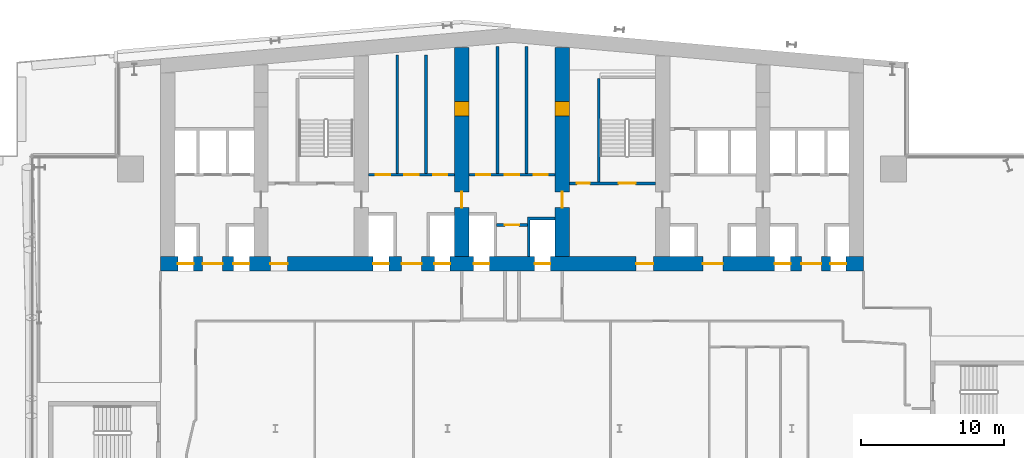
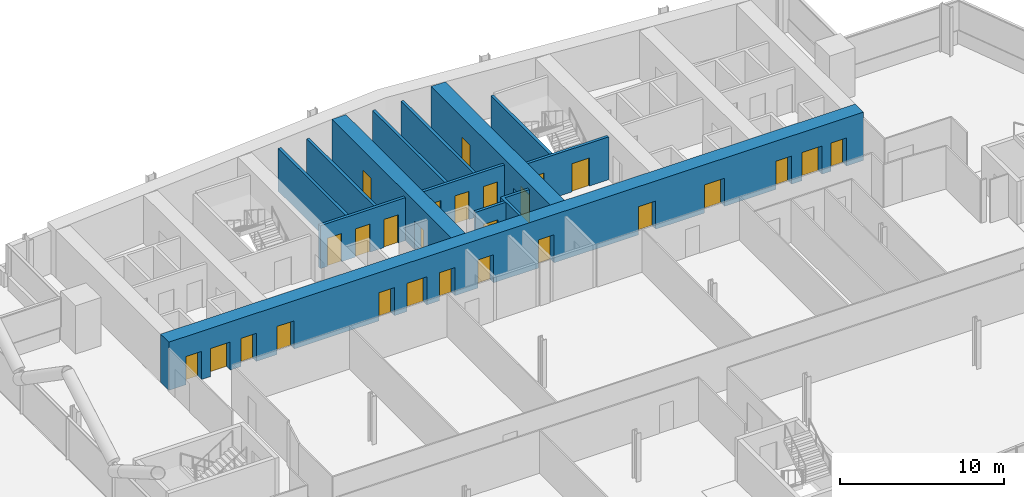
# One storey, part 15 of 26: 27 doors, 13 walls, 27 openings.
"""IFC4 building model written with IfcOpenShell, lengths in metres."""

from ifc_helpers import new_model, si_unit, direction, frame, frame_2d, origin, place, context, subcontext, project, spatial, polyline, rectangle, outline, extrude, material, layer, layer_set, type_object, element, fill, save


model = new_model("IFC4")

# Units and contexts
model_context = context("Model", 3, precision=1e-05, world=origin(), true_north=direction((0.0, 1.0)))
body_context = subcontext(model_context, "Body", "Model", "MODEL_VIEW")
ifc_project = project(units=[si_unit("LENGTHUNIT", "METRE"), si_unit("AREAUNIT", "SQUARE_METRE"), si_unit("VOLUMEUNIT", "CUBIC_METRE"), si_unit("PLANEANGLEUNIT", "RADIAN"), si_unit("MASSUNIT", "GRAM", prefix="KILO")], contexts=[model_context])

# Site, building, storey
site_placement = place(None, origin())
site = spatial("IfcSite", under=ifc_project, at=site_placement, CompositionType="ELEMENT")
building_placement = place(site_placement, origin())
building = spatial("IfcBuilding", under=site, at=building_placement, Name="Wharfspan Tower", CompositionType="ELEMENT")
storey_placement = place(building_placement, frame((0.0, 0.0, 96.699951)))
storey = spatial("IfcBuildingStorey", under=building, at=storey_placement, Name="L21", CompositionType="ELEMENT", Elevation=96.699951)

# Walls
ifc_material_1 = material(Name="Calcium silicate masonry", Category="masonry")
ifc_layer_1 = layer(ifc_material_1, 0.199951)
ifc_layer_set_1 = layer_set([ifc_layer_1], Name="Calcium silicate masonry")
wall_type_1 = type_object("IfcWallType", Name="Core room wall 200", PredefinedType="PARTITIONING", material=ifc_layer_set_1)
for number, where, z_axis, x_axis, name in (
    (1, (32.5, 40.800049, 0.0), (0.0, 0.0, 1.0), (0.0, 1.0, 0.0), "sw:L21:RP3.1"),
    (2, (34.5, 40.800049, 0.0), (0.0, 0.0, 1.0), (0.0, 1.0, 0.0), "sw:L21:RP3.2"),
):
    element("IfcWall", number, at=place(storey_placement, frame(where, z_axis=z_axis, x_axis=x_axis)), inside=storey, type_object=wall_type_1, Name=name, PredefinedType="PARTITIONING", context=body_context, shape_type="SweptSolid", body=[
        extrude(rectangle(XDim=8.232178, YDim=0.199951, at=frame_2d((4.116211, 0.0))), origin(), (0.0, 0.0, 1.0), 3.199951),
    ])

# Wall, opening, door
wall_1_placement = place(storey_placement, frame((39.43335, 37.199951, 0.0), z_axis=(0.0, 0.0, 1.0), x_axis=(1.0, 0.0, 0.0)))
wall_1 = element("IfcWall", 3, at=wall_1_placement, inside=storey, type_object=wall_type_1, Name="sw:L21:FR4.2", PredefinedType="PARTITIONING", context=body_context, shape_type="SweptSolid", body=[
    extrude(rectangle(XDim=2.133301, YDim=0.199951, at=frame_2d((1.06665, 0.0))), origin(), (0.0, 0.0, 1.0), 3.199951),
])
opening_1_placement = place(wall_1_placement, frame((0.56665, 0.0, 0.0)))
opening_1 = element("IfcOpeningElement", 4, at=opening_1_placement, cuts=wall_1, Name="Opening CD21.4H2", PredefinedType="OPENING", context=body_context, shape_type="SweptSolid", body=[
    extrude(rectangle(XDim=1.0, YDim=2.100098, at=frame_2d((0.5, 1.050049))), frame((0.0, 0.109863, 0.0), z_axis=(0.0, -1.0, 0.0), x_axis=(1.0, 0.0, 0.0)), (0.0, 0.0, 1.0), 0.219971),
])
ifc_material_2 = material(Name="Steel door leaf", Category="steel")
door_type_1 = type_object("IfcDoorType", Name="Core room door 1000x2100", OperationType="SINGLE_SWING_LEFT", PredefinedType="DOOR", material=ifc_material_2)
door_1_placement = place(opening_1_placement, origin())
door_1 = element("IfcDoor", 5, at=door_1_placement, inside=storey, type_object=door_type_1, Name="d:L21:4:fh4.2", OperationType="SINGLE_SWING_RIGHT", OverallHeight=2.100098, OverallWidth=1.0, PredefinedType="DOOR", context=body_context, shape_type="SweptSolid", body=[
    extrude(rectangle(XDim=1.0, YDim=2.100098, at=frame_2d((0.5, 1.050049))), frame((0.0, 0.024902, 0.0), z_axis=(0.0, -1.0, 0.0), x_axis=(1.0, 0.0, 0.0)), (0.0, 0.0, 1.0), 0.050049),
])
fill(opening_1, door_1)

# Walls
for number, where, z_axis, x_axis, name in (
    (6, (39.5, 40.800049, 0.0), (0.0, 0.0, 1.0), (0.0, 1.0, 0.0), "sw:L21:RP4.1"),
    (7, (41.5, 40.800049, 0.0), (0.0, 0.0, 1.0), (0.0, 1.0, 0.0), "sw:L21:RP4.2"),
):
    element("IfcWall", number, at=place(storey_placement, frame(where, z_axis=z_axis, x_axis=x_axis)), inside=storey, type_object=wall_type_1, Name=name, PredefinedType="PARTITIONING", context=body_context, shape_type="SweptSolid", body=[
        extrude(rectangle(XDim=8.844482, YDim=0.199951, at=frame_2d((4.422363, 0.0))), origin(), (0.0, 0.0, 1.0), 3.199951),
    ])

# Wall, openings, doors
ifc_material_3 = material(Name="Concrete C70/85", Category="concrete")
ifc_layer_2 = layer(ifc_material_3, 1.0)
ifc_layer_set_2 = layer_set([ifc_layer_2], Name="Concrete C70/85")
wall_type_2 = type_object("IfcWallType", Name="Core wall 1000 C70/85", PredefinedType="SHEAR", material=ifc_layer_set_2)
wall_2_placement = place(storey_placement, frame((16.0, 34.5, 0.0), z_axis=(0.0, 0.0, 1.0), x_axis=(1.0, 0.0, 0.0)))
wall_2 = element("IfcWall", 8, at=wall_2_placement, inside=storey, type_object=wall_type_2, Name="Core front wall L21", PredefinedType="SHEAR", context=body_context, shape_type="SweptSolid", body=[
    extrude(rectangle(XDim=49.0, YDim=1.0, at=frame_2d((24.5, 0.0))), origin(), (0.0, 0.0, 1.0), 3.600098),
])
opening_2_placement = place(wall_2_placement, frame((1.199951, 0.0, 0.0)))
opening_2 = element("IfcOpeningElement", 9, at=opening_2_placement, cuts=wall_2, Name="Opening LD.LA1.L21", PredefinedType="OPENING", context=body_context, shape_type="SweptSolid", body=[
    extrude(rectangle(XDim=1.100098, YDim=2.100098, at=frame_2d((0.550049, 1.050049))), frame((0.0, 0.51001, 0.0), z_axis=(0.0, -1.0, 0.0), x_axis=(1.0, 0.0, 0.0)), (0.0, 0.0, 1.0), 1.02002),
])
opening_3_placement = place(wall_2_placement, frame((5.083252, 0.0, 0.0)))
opening_3 = element("IfcOpeningElement", 10, at=opening_3_placement, cuts=wall_2, Name="Opening LD.LA2.L21", PredefinedType="OPENING", context=body_context, shape_type="SweptSolid", body=[
    extrude(rectangle(XDim=1.100098, YDim=2.100098, at=frame_2d((0.550049, 1.050049))), frame((0.0, 0.51001, 0.0), z_axis=(0.0, -1.0, 0.0), x_axis=(1.0, 0.0, 0.0)), (0.0, 0.0, 1.0), 1.02002),
])
opening_4_placement = place(wall_2_placement, frame((2.93335, 0.0, 0.0)))
opening_4 = element("IfcOpeningElement", 11, at=opening_4_placement, cuts=wall_2, Name="Opening HD21.1", PredefinedType="OPENING", context=body_context, shape_type="SweptSolid", body=[
    extrude(rectangle(XDim=1.399902, YDim=2.100098, at=frame_2d((0.699951, 1.050049))), frame((0.0, 0.51001, 0.0), z_axis=(0.0, -1.0, 0.0), x_axis=(1.0, 0.0, 0.0)), (0.0, 0.0, 1.0), 1.02002),
])
opening_5_placement = place(wall_2_placement, frame((7.649902, 0.0, 0.0)))
opening_5 = element("IfcOpeningElement", 12, at=opening_5_placement, cuts=wall_2, Name="Opening SV2.L21", PredefinedType="OPENING", context=body_context, shape_type="SweptSolid", body=[
    extrude(rectangle(XDim=1.199951, YDim=2.100098, at=frame_2d((0.600098, 1.050049))), frame((0.0, 0.51001, 0.0), z_axis=(0.0, -1.0, 0.0), x_axis=(1.0, 0.0, 0.0)), (0.0, 0.0, 1.0), 1.02002),
])
opening_6_placement = place(wall_2_placement, frame((14.81665, 0.0, 0.0)))
opening_6 = element("IfcOpeningElement", 13, at=opening_6_placement, cuts=wall_2, Name="Opening LD.SL1.L21", PredefinedType="OPENING", context=body_context, shape_type="SweptSolid", body=[
    extrude(rectangle(XDim=1.100098, YDim=2.100098, at=frame_2d((0.550049, 1.050049))), frame((0.0, 0.51001, 0.0), z_axis=(0.0, -1.0, 0.0), x_axis=(1.0, 0.0, 0.0)), (0.0, 0.0, 1.0), 1.02002),
])
opening_7_placement = place(wall_2_placement, frame((19.083252, 0.0, 0.0)))
opening_7 = element("IfcOpeningElement", 14, at=opening_7_placement, cuts=wall_2, Name="Opening LD.SL2.L21", PredefinedType="OPENING", context=body_context, shape_type="SweptSolid", body=[
    extrude(rectangle(XDim=1.100098, YDim=2.100098, at=frame_2d((0.550049, 1.050049))), frame((0.0, 0.51001, 0.0), z_axis=(0.0, -1.0, 0.0), x_axis=(1.0, 0.0, 0.0)), (0.0, 0.0, 1.0), 1.02002),
])
opening_8_placement = place(wall_2_placement, frame((16.800049, 0.0, 0.0)))
opening_8 = element("IfcOpeningElement", 15, at=opening_8_placement, cuts=wall_2, Name="Opening HD21.3", PredefinedType="OPENING", context=body_context, shape_type="SweptSolid", body=[
    extrude(rectangle(XDim=1.399902, YDim=2.100098, at=frame_2d((0.699951, 1.050049))), frame((0.0, 0.51001, 0.0), z_axis=(0.0, -1.0, 0.0), x_axis=(1.0, 0.0, 0.0)), (0.0, 0.0, 1.0), 1.02002),
])
opening_9_placement = place(wall_2_placement, frame((21.81665, 0.0, 0.0)))
opening_9 = element("IfcOpeningElement", 16, at=opening_9_placement, cuts=wall_2, Name="Opening LD.FF1.L21", PredefinedType="OPENING", context=body_context, shape_type="SweptSolid", body=[
    extrude(rectangle(XDim=1.100098, YDim=2.100098, at=frame_2d((0.550049, 1.050049))), frame((0.0, 0.51001, 0.0), z_axis=(0.0, -1.0, 0.0), x_axis=(1.0, 0.0, 0.0)), (0.0, 0.0, 1.0), 1.02002),
])
opening_10_placement = place(wall_2_placement, frame((26.083252, 0.0, 0.0)))
opening_10 = element("IfcOpeningElement", 17, at=opening_10_placement, cuts=wall_2, Name="Opening LD.FF2.L21", PredefinedType="OPENING", context=body_context, shape_type="SweptSolid", body=[
    extrude(rectangle(XDim=1.100098, YDim=2.100098, at=frame_2d((0.550049, 1.050049))), frame((0.0, 0.51001, 0.0), z_axis=(0.0, -1.0, 0.0), x_axis=(1.0, 0.0, 0.0)), (0.0, 0.0, 1.0), 1.02002),
])
opening_11_placement = place(wall_2_placement, frame((33.149902, 0.0, 0.0)))
opening_11 = element("IfcOpeningElement", 18, at=opening_11_placement, cuts=wall_2, Name="Opening SV5.L21", PredefinedType="OPENING", context=body_context, shape_type="SweptSolid", body=[
    extrude(rectangle(XDim=1.199951, YDim=2.100098, at=frame_2d((0.600098, 1.050049))), frame((0.0, 0.51001, 0.0), z_axis=(0.0, -1.0, 0.0), x_axis=(1.0, 0.0, 0.0)), (0.0, 0.0, 1.0), 1.02002),
])
opening_12_placement = place(wall_2_placement, frame((37.800049, 0.0, 0.0)))
opening_12 = element("IfcOpeningElement", 19, at=opening_12_placement, cuts=wall_2, Name="Opening HD21.6", PredefinedType="OPENING", context=body_context, shape_type="SweptSolid", body=[
    extrude(rectangle(XDim=1.399902, YDim=2.100098, at=frame_2d((0.699951, 1.050049))), frame((0.0, 0.51001, 0.0), z_axis=(0.0, -1.0, 0.0), x_axis=(1.0, 0.0, 0.0)), (0.0, 0.0, 1.0), 1.02002),
])
opening_13_placement = place(wall_2_placement, frame((42.81665, 0.0, 0.0)))
opening_13 = element("IfcOpeningElement", 20, at=opening_13_placement, cuts=wall_2, Name="Opening LD.LA6.L21", PredefinedType="OPENING", context=body_context, shape_type="SweptSolid", body=[
    extrude(rectangle(XDim=1.100098, YDim=2.100098, at=frame_2d((0.550049, 1.050049))), frame((0.0, 0.51001, 0.0), z_axis=(0.0, -1.0, 0.0), x_axis=(1.0, 0.0, 0.0)), (0.0, 0.0, 1.0), 1.02002),
])
opening_14_placement = place(wall_2_placement, frame((46.699951, 0.0, 0.0)))
opening_14 = element("IfcOpeningElement", 21, at=opening_14_placement, cuts=wall_2, Name="Opening LD.LA7.L21", PredefinedType="OPENING", context=body_context, shape_type="SweptSolid", body=[
    extrude(rectangle(XDim=1.100098, YDim=2.100098, at=frame_2d((0.550049, 1.050049))), frame((0.0, 0.51001, 0.0), z_axis=(0.0, -1.0, 0.0), x_axis=(1.0, 0.0, 0.0)), (0.0, 0.0, 1.0), 1.02002),
])
opening_15_placement = place(wall_2_placement, frame((44.666748, 0.0, 0.0)))
opening_15 = element("IfcOpeningElement", 22, at=opening_15_placement, cuts=wall_2, Name="Opening HD21.7", PredefinedType="OPENING", context=body_context, shape_type="SweptSolid", body=[
    extrude(rectangle(XDim=1.399902, YDim=2.100098, at=frame_2d((0.699951, 1.050049))), frame((0.0, 0.51001, 0.0), z_axis=(0.0, -1.0, 0.0), x_axis=(1.0, 0.0, 0.0)), (0.0, 0.0, 1.0), 1.02002),
])
door_type_2 = type_object("IfcDoorType", Name="Hall entry door 1400x2100", OperationType="DOUBLE_DOOR_SINGLE_SWING", PredefinedType="DOOR", material=ifc_material_2)
door_2_placement = place(opening_4_placement, origin())
door_2 = element("IfcDoor", 23, at=door_2_placement, inside=storey, type_object=door_type_2, Name="d:L21:1:hd1", OperationType="DOUBLE_DOOR_SINGLE_SWING", OverallHeight=2.100098, OverallWidth=1.399902, PredefinedType="DOOR", context=body_context, shape_type="SweptSolid", body=[
    extrude(rectangle(XDim=1.399902, YDim=2.100098, at=frame_2d((0.699951, 1.050049))), frame((0.0, 0.024902, 0.0), z_axis=(0.0, -1.0, 0.0), x_axis=(1.0, 0.0, 0.0)), (0.0, 0.0, 1.0), 0.050049),
])
fill(opening_4, door_2)
door_3_placement = place(opening_8_placement, origin())
door_3 = element("IfcDoor", 24, at=door_3_placement, inside=storey, type_object=door_type_2, Name="d:L21:3:hd3", OperationType="DOUBLE_DOOR_SINGLE_SWING", OverallHeight=2.100098, OverallWidth=1.399902, PredefinedType="DOOR", context=body_context, shape_type="SweptSolid", body=[
    extrude(rectangle(XDim=1.399902, YDim=2.100098, at=frame_2d((0.699951, 1.050049))), frame((0.0, 0.024902, 0.0), z_axis=(0.0, -1.0, 0.0), x_axis=(1.0, 0.0, 0.0)), (0.0, 0.0, 1.0), 0.050049),
])
fill(opening_8, door_3)
door_4_placement = place(opening_12_placement, origin())
door_4 = element("IfcDoor", 25, at=door_4_placement, inside=storey, type_object=door_type_2, Name="d:L21:6:hd6", OperationType="DOUBLE_DOOR_SINGLE_SWING", OverallHeight=2.100098, OverallWidth=1.399902, PredefinedType="DOOR", context=body_context, shape_type="SweptSolid", body=[
    extrude(rectangle(XDim=1.399902, YDim=2.100098, at=frame_2d((0.699951, 1.050049))), frame((0.0, 0.024902, 0.0), z_axis=(0.0, -1.0, 0.0), x_axis=(1.0, 0.0, 0.0)), (0.0, 0.0, 1.0), 0.050049),
])
fill(opening_12, door_4)
door_5_placement = place(opening_15_placement, origin())
door_5 = element("IfcDoor", 26, at=door_5_placement, inside=storey, type_object=door_type_2, Name="d:L21:7:hd7", OperationType="DOUBLE_DOOR_SINGLE_SWING", OverallHeight=2.100098, OverallWidth=1.399902, PredefinedType="DOOR", context=body_context, shape_type="SweptSolid", body=[
    extrude(rectangle(XDim=1.399902, YDim=2.100098, at=frame_2d((0.699951, 1.050049))), frame((0.0, 0.024902, 0.0), z_axis=(0.0, -1.0, 0.0), x_axis=(1.0, 0.0, 0.0)), (0.0, 0.0, 1.0), 0.050049),
])
fill(opening_15, door_5)
ifc_material_4 = material(Name="Stainless steel", Category="steel")
door_type_3 = type_object("IfcDoorType", Name="Lift landing door 1100x2100", OperationType="DOUBLE_DOOR_SLIDING", PredefinedType="DOOR", material=ifc_material_4)
door_6_placement = place(opening_2_placement, origin())
door_6 = element("IfcDoor", 27, at=door_6_placement, inside=storey, type_object=door_type_3, Name="Landing door LA1 L21", OperationType="DOUBLE_DOOR_SLIDING", OverallHeight=2.100098, OverallWidth=1.100098, PredefinedType="DOOR", context=body_context, shape_type="SweptSolid", body=[
    extrude(rectangle(XDim=1.100098, YDim=2.100098, at=frame_2d((0.550049, 1.050049))), frame((0.0, 0.024902, 0.0), z_axis=(0.0, -1.0, 0.0), x_axis=(1.0, 0.0, 0.0)), (0.0, 0.0, 1.0), 0.050049),
])
fill(opening_2, door_6)
door_7_placement = place(opening_3_placement, origin())
door_7 = element("IfcDoor", 28, at=door_7_placement, inside=storey, type_object=door_type_3, Name="Landing door LA2 L21", OperationType="DOUBLE_DOOR_SLIDING", OverallHeight=2.100098, OverallWidth=1.100098, PredefinedType="DOOR", context=body_context, shape_type="SweptSolid", body=[
    extrude(rectangle(XDim=1.100098, YDim=2.100098, at=frame_2d((0.550049, 1.050049))), frame((0.0, 0.024902, 0.0), z_axis=(0.0, -1.0, 0.0), x_axis=(1.0, 0.0, 0.0)), (0.0, 0.0, 1.0), 0.050049),
])
fill(opening_3, door_7)
door_8_placement = place(opening_6_placement, origin())
door_8 = element("IfcDoor", 29, at=door_8_placement, inside=storey, type_object=door_type_3, Name="Landing door SL1 L21", OperationType="DOUBLE_DOOR_SLIDING", OverallHeight=2.100098, OverallWidth=1.100098, PredefinedType="DOOR", context=body_context, shape_type="SweptSolid", body=[
    extrude(rectangle(XDim=1.100098, YDim=2.100098, at=frame_2d((0.550049, 1.050049))), frame((0.0, 0.024902, 0.0), z_axis=(0.0, -1.0, 0.0), x_axis=(1.0, 0.0, 0.0)), (0.0, 0.0, 1.0), 0.050049),
])
fill(opening_6, door_8)
door_9_placement = place(opening_7_placement, origin())
door_9 = element("IfcDoor", 30, at=door_9_placement, inside=storey, type_object=door_type_3, Name="Landing door SL2 L21", OperationType="DOUBLE_DOOR_SLIDING", OverallHeight=2.100098, OverallWidth=1.100098, PredefinedType="DOOR", context=body_context, shape_type="SweptSolid", body=[
    extrude(rectangle(XDim=1.100098, YDim=2.100098, at=frame_2d((0.550049, 1.050049))), frame((0.0, 0.024902, 0.0), z_axis=(0.0, -1.0, 0.0), x_axis=(1.0, 0.0, 0.0)), (0.0, 0.0, 1.0), 0.050049),
])
fill(opening_7, door_9)
door_10_placement = place(opening_9_placement, origin())
door_10 = element("IfcDoor", 31, at=door_10_placement, inside=storey, type_object=door_type_3, Name="Landing door FF1 L21", OperationType="DOUBLE_DOOR_SLIDING", OverallHeight=2.100098, OverallWidth=1.100098, PredefinedType="DOOR", context=body_context, shape_type="SweptSolid", body=[
    extrude(rectangle(XDim=1.100098, YDim=2.100098, at=frame_2d((0.550049, 1.050049))), frame((0.0, 0.024902, 0.0), z_axis=(0.0, -1.0, 0.0), x_axis=(1.0, 0.0, 0.0)), (0.0, 0.0, 1.0), 0.050049),
])
fill(opening_9, door_10)
door_11_placement = place(opening_10_placement, origin())
door_11 = element("IfcDoor", 32, at=door_11_placement, inside=storey, type_object=door_type_3, Name="Landing door FF2 L21", OperationType="DOUBLE_DOOR_SLIDING", OverallHeight=2.100098, OverallWidth=1.100098, PredefinedType="DOOR", context=body_context, shape_type="SweptSolid", body=[
    extrude(rectangle(XDim=1.100098, YDim=2.100098, at=frame_2d((0.550049, 1.050049))), frame((0.0, 0.024902, 0.0), z_axis=(0.0, -1.0, 0.0), x_axis=(1.0, 0.0, 0.0)), (0.0, 0.0, 1.0), 0.050049),
])
fill(opening_10, door_11)
door_12_placement = place(opening_13_placement, origin())
door_12 = element("IfcDoor", 33, at=door_12_placement, inside=storey, type_object=door_type_3, Name="Landing door LA6 L21", OperationType="DOUBLE_DOOR_SLIDING", OverallHeight=2.100098, OverallWidth=1.100098, PredefinedType="DOOR", context=body_context, shape_type="SweptSolid", body=[
    extrude(rectangle(XDim=1.100098, YDim=2.100098, at=frame_2d((0.550049, 1.050049))), frame((0.0, 0.024902, 0.0), z_axis=(0.0, -1.0, 0.0), x_axis=(1.0, 0.0, 0.0)), (0.0, 0.0, 1.0), 0.050049),
])
fill(opening_13, door_12)
door_13_placement = place(opening_14_placement, origin())
door_13 = element("IfcDoor", 34, at=door_13_placement, inside=storey, type_object=door_type_3, Name="Landing door LA7 L21", OperationType="DOUBLE_DOOR_SLIDING", OverallHeight=2.100098, OverallWidth=1.100098, PredefinedType="DOOR", context=body_context, shape_type="SweptSolid", body=[
    extrude(rectangle(XDim=1.100098, YDim=2.100098, at=frame_2d((0.550049, 1.050049))), frame((0.0, 0.024902, 0.0), z_axis=(0.0, -1.0, 0.0), x_axis=(1.0, 0.0, 0.0)), (0.0, 0.0, 1.0), 0.050049),
])
fill(opening_14, door_13)
door_type_4 = type_object("IfcDoorType", Name="Stair door 1200x2100", OperationType="SINGLE_SWING_LEFT", PredefinedType="DOOR", material=ifc_material_2)
door_14_placement = place(opening_5_placement, origin())
door_14 = element("IfcDoor", 35, at=door_14_placement, inside=storey, type_object=door_type_4, Name="vd:L21:2", OperationType="SINGLE_SWING_LEFT", OverallHeight=2.100098, OverallWidth=1.199951, PredefinedType="DOOR", context=body_context, shape_type="SweptSolid", body=[
    extrude(rectangle(XDim=1.199951, YDim=2.100098, at=frame_2d((0.600098, 1.050049))), frame((0.0, 0.024902, 0.0), z_axis=(0.0, -1.0, 0.0), x_axis=(1.0, 0.0, 0.0)), (0.0, 0.0, 1.0), 0.050049),
])
fill(opening_5, door_14)
door_15_placement = place(opening_11_placement, origin())
door_15 = element("IfcDoor", 36, at=door_15_placement, inside=storey, type_object=door_type_4, Name="vd:L21:5", OperationType="SINGLE_SWING_LEFT", OverallHeight=2.100098, OverallWidth=1.199951, PredefinedType="DOOR", context=body_context, shape_type="SweptSolid", body=[
    extrude(rectangle(XDim=1.199951, YDim=2.100098, at=frame_2d((0.600098, 1.050049))), frame((0.0, 0.024902, 0.0), z_axis=(0.0, -1.0, 0.0), x_axis=(1.0, 0.0, 0.0)), (0.0, 0.0, 1.0), 0.050049),
])
fill(opening_11, door_15)

wall_3_placement = place(storey_placement, frame((37.0, 35.0, 0.0), z_axis=(0.0, 0.0, 1.0), x_axis=(0.0, 1.0, 0.0)))
wall_3 = element("IfcWall", 37, at=wall_3_placement, inside=storey, type_object=wall_type_2, Name="Core cross wall X4 L21", PredefinedType="SHEAR", context=body_context, shape_type="SweptSolid", body=[
    extrude(rectangle(XDim=14.577148, YDim=1.0, at=frame_2d((7.288574, 0.0))), origin(), (0.0, 0.0, 1.0), 3.600098),
])
opening_16_placement = place(wall_3_placement, frame((3.399902, 0.0, 0.0)))
opening_16 = element("IfcOpeningElement", 38, at=opening_16_placement, cuts=wall_3, Name="Opening CC21.4", PredefinedType="OPENING", context=body_context, shape_type="SweptSolid", body=[
    extrude(rectangle(XDim=1.100098, YDim=2.100098, at=frame_2d((0.550049, 1.050049))), frame((0.0, 0.51001, 0.0), z_axis=(0.0, -1.0, 0.0), x_axis=(1.0, 0.0, 0.0)), (0.0, 0.0, 1.0), 1.02002),
])
opening_17_placement = place(wall_3_placement, frame((9.800049, 0.0, 0.0)))
opening_17 = element("IfcOpeningElement", 39, at=opening_17_placement, cuts=wall_3, Name="Opening CR21.4", PredefinedType="OPENING", context=body_context, shape_type="SweptSolid", body=[
    extrude(rectangle(XDim=1.0, YDim=2.100098, at=frame_2d((0.5, 1.050049))), frame((0.0, 0.51001, 0.0), z_axis=(0.0, -1.0, 0.0), x_axis=(1.0, 0.0, 0.0)), (0.0, 0.0, 1.0), 1.02002),
])
door_type_5 = type_object("IfcDoorType", Name="Core corridor door 1100x2100", OperationType="SINGLE_SWING_LEFT", PredefinedType="DOOR", material=ifc_material_2)
door_16_placement = place(opening_16_placement, origin())
door_16 = element("IfcDoor", 40, at=door_16_placement, inside=storey, type_object=door_type_5, Name="xd:L21:4", OperationType="SINGLE_SWING_RIGHT", OverallHeight=2.100098, OverallWidth=1.100098, PredefinedType="DOOR", context=body_context, shape_type="SweptSolid", body=[
    extrude(rectangle(XDim=1.100098, YDim=2.100098, at=frame_2d((0.550049, 1.050049))), frame((0.0, 0.024902, 0.0), z_axis=(0.0, -1.0, 0.0), x_axis=(1.0, 0.0, 0.0)), (0.0, 0.0, 1.0), 0.050049),
])
fill(opening_16, door_16)
door_17_placement = place(opening_17_placement, origin())
door_17 = element("IfcDoor", 41, at=door_17_placement, inside=storey, type_object=door_type_1, Name="xr:L21:4", OperationType="SINGLE_SWING_RIGHT", OverallHeight=2.100098, OverallWidth=1.0, PredefinedType="DOOR", context=body_context, shape_type="SweptSolid", body=[
    extrude(rectangle(XDim=1.0, YDim=2.100098, at=frame_2d((0.5, 1.050049))), frame((0.0, 0.499756, 0.0), z_axis=(0.0, -1.0, 0.0), x_axis=(1.0, 0.0, 0.0)), (0.0, 0.0, 1.0), 0.999512),
])
fill(opening_17, door_17)

wall_4_placement = place(storey_placement, frame((44.0, 35.0, 0.0), z_axis=(0.0, 0.0, 1.0), x_axis=(0.0, 1.0, 0.0)))
wall_4 = element("IfcWall", 42, at=wall_4_placement, inside=storey, type_object=wall_type_2, Name="Core cross wall X5 L21", PredefinedType="SHEAR", context=body_context, shape_type="SweptSolid", body=[
    extrude(rectangle(XDim=14.577148, YDim=1.0, at=frame_2d((7.288574, 0.0))), origin(), (0.0, 0.0, 1.0), 3.600098),
])
opening_18_placement = place(wall_4_placement, frame((3.399902, 0.0, 0.0)))
opening_18 = element("IfcOpeningElement", 43, at=opening_18_placement, cuts=wall_4, Name="Opening CC21.5", PredefinedType="OPENING", context=body_context, shape_type="SweptSolid", body=[
    extrude(rectangle(XDim=1.100098, YDim=2.100098, at=frame_2d((0.550049, 1.050049))), frame((0.0, 0.51001, 0.0), z_axis=(0.0, -1.0, 0.0), x_axis=(1.0, 0.0, 0.0)), (0.0, 0.0, 1.0), 1.02002),
])
opening_19_placement = place(wall_4_placement, frame((9.800049, 0.0, 0.0)))
opening_19 = element("IfcOpeningElement", 44, at=opening_19_placement, cuts=wall_4, Name="Opening CR21.5", PredefinedType="OPENING", context=body_context, shape_type="SweptSolid", body=[
    extrude(rectangle(XDim=1.0, YDim=2.100098, at=frame_2d((0.5, 1.050049))), frame((0.0, 0.51001, 0.0), z_axis=(0.0, -1.0, 0.0), x_axis=(1.0, 0.0, 0.0)), (0.0, 0.0, 1.0), 1.02002),
])
door_18_placement = place(opening_18_placement, origin())
door_18 = element("IfcDoor", 45, at=door_18_placement, inside=storey, type_object=door_type_5, Name="xd:L21:5", OperationType="SINGLE_SWING_LEFT", OverallHeight=2.100098, OverallWidth=1.100098, PredefinedType="DOOR", context=body_context, shape_type="SweptSolid", body=[
    extrude(rectangle(XDim=1.100098, YDim=2.100098, at=frame_2d((0.550049, 1.050049))), frame((0.0, 0.024902, 0.0), z_axis=(0.0, -1.0, 0.0), x_axis=(1.0, 0.0, 0.0)), (0.0, 0.0, 1.0), 0.050049),
])
fill(opening_18, door_18)
door_19_placement = place(opening_19_placement, origin())
door_19 = element("IfcDoor", 46, at=door_19_placement, inside=storey, type_object=door_type_1, Name="xr:L21:5", OperationType="SINGLE_SWING_RIGHT", OverallHeight=2.100098, OverallWidth=1.0, PredefinedType="DOOR", context=body_context, shape_type="SweptSolid", body=[
    extrude(rectangle(XDim=1.0, YDim=2.100098, at=frame_2d((0.5, 1.050049))), frame((0.0, 0.499756, 0.0), z_axis=(0.0, -1.0, 0.0), x_axis=(1.0, 0.0, 0.0)), (0.0, 0.0, 1.0), 0.999512),
])
fill(opening_19, door_19)

ifc_material_5 = material(Name="Concrete C30/37", Category="concrete")
ifc_layer_3 = layer(ifc_material_5, 0.199951)
ifc_layer_set_3 = layer_set([ifc_layer_3], Name="Concrete C30/37")
wall_type_3 = type_object("IfcWallType", Name="Lift shaft wall 200", PredefinedType="PARTITIONING", material=ifc_layer_set_3)
wall_5_placement = place(storey_placement, frame((30.5, 40.699951, 0.0), z_axis=(0.0, 0.0, 1.0), x_axis=(1.0, 0.0, 0.0)))
wall_5 = element("IfcWall", 47, at=wall_5_placement, inside=storey, type_object=wall_type_3, Name="sw:L21:RF3", PredefinedType="PARTITIONING", context=body_context, shape_type="SweptSolid", body=[
    extrude(rectangle(XDim=6.0, YDim=0.199951, at=frame_2d((3.0, 0.0))), origin(), (0.0, 0.0, 1.0), 3.199951),
])
opening_20_placement = place(wall_5_placement, frame((0.5, 0.0, 0.0)))
opening_20 = element("IfcOpeningElement", 48, at=opening_20_placement, cuts=wall_5, Name="Opening CD21.3S", PredefinedType="OPENING", context=body_context, shape_type="SweptSolid", body=[
    extrude(rectangle(XDim=1.0, YDim=2.100098, at=frame_2d((0.5, 1.050049))), frame((0.0, 0.109863, 0.0), z_axis=(0.0, -1.0, 0.0), x_axis=(1.0, 0.0, 0.0)), (0.0, 0.0, 1.0), 0.219971),
])
opening_21_placement = place(wall_5_placement, frame((2.5, 0.0, 0.0)))
opening_21 = element("IfcOpeningElement", 49, at=opening_21_placement, cuts=wall_5, Name="Opening CD21.3Sa", PredefinedType="OPENING", context=body_context, shape_type="SweptSolid", body=[
    extrude(rectangle(XDim=1.0, YDim=2.100098, at=frame_2d((0.5, 1.050049))), frame((0.0, 0.109863, 0.0), z_axis=(0.0, -1.0, 0.0), x_axis=(1.0, 0.0, 0.0)), (0.0, 0.0, 1.0), 0.219971),
])
opening_22_placement = place(wall_5_placement, frame((4.5, 0.0, 0.0)))
opening_22 = element("IfcOpeningElement", 50, at=opening_22_placement, cuts=wall_5, Name="Opening CD21.3Sb", PredefinedType="OPENING", context=body_context, shape_type="SweptSolid", body=[
    extrude(rectangle(XDim=1.0, YDim=2.100098, at=frame_2d((0.5, 1.050049))), frame((0.0, 0.109863, 0.0), z_axis=(0.0, -1.0, 0.0), x_axis=(1.0, 0.0, 0.0)), (0.0, 0.0, 1.0), 0.219971),
])
door_20_placement = place(opening_20_placement, origin())
door_20 = element("IfcDoor", 51, at=door_20_placement, inside=storey, type_object=door_type_1, Name="d:L21:3:sf", OperationType="SINGLE_SWING_LEFT", OverallHeight=2.100098, OverallWidth=1.0, PredefinedType="DOOR", context=body_context, shape_type="SweptSolid", body=[
    extrude(rectangle(XDim=1.0, YDim=2.100098, at=frame_2d((0.5, 1.050049))), frame((0.0, 0.024902, 0.0), z_axis=(0.0, -1.0, 0.0), x_axis=(1.0, 0.0, 0.0)), (0.0, 0.0, 1.0), 0.050049),
])
fill(opening_20, door_20)
door_21_placement = place(opening_21_placement, origin())
door_21 = element("IfcDoor", 52, at=door_21_placement, inside=storey, type_object=door_type_1, Name="d:L21:3:sf1", OperationType="SINGLE_SWING_LEFT", OverallHeight=2.100098, OverallWidth=1.0, PredefinedType="DOOR", context=body_context, shape_type="SweptSolid", body=[
    extrude(rectangle(XDim=1.0, YDim=2.100098, at=frame_2d((0.5, 1.050049))), frame((0.0, 0.024902, 0.0), z_axis=(0.0, -1.0, 0.0), x_axis=(1.0, 0.0, 0.0)), (0.0, 0.0, 1.0), 0.050049),
])
fill(opening_21, door_21)
door_22_placement = place(opening_22_placement, origin())
door_22 = element("IfcDoor", 53, at=door_22_placement, inside=storey, type_object=door_type_1, Name="d:L21:3:sf2", OperationType="SINGLE_SWING_LEFT", OverallHeight=2.100098, OverallWidth=1.0, PredefinedType="DOOR", context=body_context, shape_type="SweptSolid", body=[
    extrude(rectangle(XDim=1.0, YDim=2.100098, at=frame_2d((0.5, 1.050049))), frame((0.0, 0.024902, 0.0), z_axis=(0.0, -1.0, 0.0), x_axis=(1.0, 0.0, 0.0)), (0.0, 0.0, 1.0), 0.050049),
])
fill(opening_22, door_22)

wall_6_placement = place(storey_placement, frame((37.5, 40.699951, 0.0), z_axis=(0.0, 0.0, 1.0), x_axis=(1.0, 0.0, 0.0)))
wall_6 = element("IfcWall", 54, at=wall_6_placement, inside=storey, type_object=wall_type_3, Name="sw:L21:RF4", PredefinedType="PARTITIONING", context=body_context, shape_type="SweptSolid", body=[
    extrude(rectangle(XDim=6.0, YDim=0.199951, at=frame_2d((3.0, 0.0))), origin(), (0.0, 0.0, 1.0), 3.199951),
])
opening_23_placement = place(wall_6_placement, frame((0.5, 0.0, 0.0)))
opening_23 = element("IfcOpeningElement", 55, at=opening_23_placement, cuts=wall_6, Name="Opening CD21.4S", PredefinedType="OPENING", context=body_context, shape_type="SweptSolid", body=[
    extrude(rectangle(XDim=1.0, YDim=2.100098, at=frame_2d((0.5, 1.050049))), frame((0.0, 0.109863, 0.0), z_axis=(0.0, -1.0, 0.0), x_axis=(1.0, 0.0, 0.0)), (0.0, 0.0, 1.0), 0.219971),
])
opening_24_placement = place(wall_6_placement, frame((2.5, 0.0, 0.0)))
opening_24 = element("IfcOpeningElement", 56, at=opening_24_placement, cuts=wall_6, Name="Opening CD21.4Sa", PredefinedType="OPENING", context=body_context, shape_type="SweptSolid", body=[
    extrude(rectangle(XDim=1.0, YDim=2.100098, at=frame_2d((0.5, 1.050049))), frame((0.0, 0.109863, 0.0), z_axis=(0.0, -1.0, 0.0), x_axis=(1.0, 0.0, 0.0)), (0.0, 0.0, 1.0), 0.219971),
])
opening_25_placement = place(wall_6_placement, frame((4.5, 0.0, 0.0)))
opening_25 = element("IfcOpeningElement", 57, at=opening_25_placement, cuts=wall_6, Name="Opening CD21.4Sb", PredefinedType="OPENING", context=body_context, shape_type="SweptSolid", body=[
    extrude(rectangle(XDim=1.0, YDim=2.100098, at=frame_2d((0.5, 1.050049))), frame((0.0, 0.109863, 0.0), z_axis=(0.0, -1.0, 0.0), x_axis=(1.0, 0.0, 0.0)), (0.0, 0.0, 1.0), 0.219971),
])
door_23_placement = place(opening_23_placement, origin())
door_23 = element("IfcDoor", 58, at=door_23_placement, inside=storey, type_object=door_type_1, Name="d:L21:4:sf", OperationType="SINGLE_SWING_LEFT", OverallHeight=2.100098, OverallWidth=1.0, PredefinedType="DOOR", context=body_context, shape_type="SweptSolid", body=[
    extrude(rectangle(XDim=1.0, YDim=2.100098, at=frame_2d((0.5, 1.050049))), frame((0.0, 0.024902, 0.0), z_axis=(0.0, -1.0, 0.0), x_axis=(1.0, 0.0, 0.0)), (0.0, 0.0, 1.0), 0.050049),
])
fill(opening_23, door_23)
door_24_placement = place(opening_24_placement, origin())
door_24 = element("IfcDoor", 59, at=door_24_placement, inside=storey, type_object=door_type_1, Name="d:L21:4:sf1", OperationType="SINGLE_SWING_LEFT", OverallHeight=2.100098, OverallWidth=1.0, PredefinedType="DOOR", context=body_context, shape_type="SweptSolid", body=[
    extrude(rectangle(XDim=1.0, YDim=2.100098, at=frame_2d((0.5, 1.050049))), frame((0.0, 0.024902, 0.0), z_axis=(0.0, -1.0, 0.0), x_axis=(1.0, 0.0, 0.0)), (0.0, 0.0, 1.0), 0.050049),
])
fill(opening_24, door_24)
door_25_placement = place(opening_25_placement, origin())
door_25 = element("IfcDoor", 60, at=door_25_placement, inside=storey, type_object=door_type_1, Name="d:L21:4:sf2", OperationType="SINGLE_SWING_LEFT", OverallHeight=2.100098, OverallWidth=1.0, PredefinedType="DOOR", context=body_context, shape_type="SweptSolid", body=[
    extrude(rectangle(XDim=1.0, YDim=2.100098, at=frame_2d((0.5, 1.050049))), frame((0.0, 0.024902, 0.0), z_axis=(0.0, -1.0, 0.0), x_axis=(1.0, 0.0, 0.0)), (0.0, 0.0, 1.0), 0.050049),
])
fill(opening_25, door_25)

# Wall
wall_7_placement = place(storey_placement, frame((0.0, 0.0, -0.000244)))
element("IfcWall", 61, at=wall_7_placement, inside=storey, type_object=wall_type_3, Name="sw:L21:FM4.0", PredefinedType="PARTITIONING", context=body_context, shape_type="SweptSolid", body=[
    extrude(outline(polyline([(41.56665, 37.75), (41.766602, 37.75), (43.5, 37.75), (43.5, 37.550049), (41.766602, 37.550049), (41.766602, 35.0), (41.56665, 35.0), (41.56665, 37.75)])), origin(), (0.0, 0.0, 1.0), 3.200195),
])

# Wall, openings, doors
ifc_material_6 = material(Name="Concrete C40/50", Category="concrete")
ifc_layer_4 = layer(ifc_material_6, 0.199951)
ifc_layer_set_4 = layer_set([ifc_layer_4], Name="Concrete C40/50")
wall_type_4 = type_object("IfcWallType", Name="Stair shaft wall 200", PredefinedType="SHEAR", material=ifc_layer_set_4)
wall_8_placement = place(storey_placement, frame((44.5, 40.100098, 0.0), z_axis=(0.0, 0.0, 1.0), x_axis=(1.0, 0.0, 0.0)))
wall_8 = element("IfcWall", 62, at=wall_8_placement, inside=storey, type_object=wall_type_4, Name="ST2 stair enclosure wall L21", PredefinedType="SHEAR", context=body_context, shape_type="SweptSolid", body=[
    extrude(rectangle(XDim=6.0, YDim=0.199951, at=frame_2d((3.0, 0.0))), origin(), (0.0, 0.0, 1.0), 3.199951),
])
opening_26_placement = place(wall_8_placement, frame((3.425049, 0.0, 0.0)))
opening_26 = element("IfcOpeningElement", 63, at=opening_26_placement, cuts=wall_8, Name="Opening SD5.L21", PredefinedType="OPENING", context=body_context, shape_type="SweptSolid", body=[
    extrude(rectangle(XDim=1.199951, YDim=2.100098, at=frame_2d((0.600098, 1.050049))), frame((0.0, 0.109863, 0.0), z_axis=(0.0, -1.0, 0.0), x_axis=(1.0, 0.0, 0.0)), (0.0, 0.0, 1.0), 0.219971),
])
opening_27_placement = place(wall_8_placement, frame((0.524902, 0.0, 0.0)))
opening_27 = element("IfcOpeningElement", 64, at=opening_27_placement, cuts=wall_8, Name="Opening CD21.5R", PredefinedType="OPENING", context=body_context, shape_type="SweptSolid", body=[
    extrude(rectangle(XDim=0.899902, YDim=2.100098, at=frame_2d((0.449951, 1.050049))), frame((0.0, 0.109863, 0.0), z_axis=(0.0, -1.0, 0.0), x_axis=(1.0, 0.0, 0.0)), (0.0, 0.0, 1.0), 0.219971),
])
door_26_placement = place(opening_27_placement, origin())
door_26 = element("IfcDoor", 65, at=door_26_placement, inside=storey, type_object=door_type_1, Name="rk:L21:5", OperationType="SINGLE_SWING_LEFT", OverallHeight=2.100098, OverallWidth=0.899902, PredefinedType="DOOR", context=body_context, shape_type="SweptSolid", body=[
    extrude(rectangle(XDim=0.899902, YDim=2.100098, at=frame_2d((0.449951, 1.050049))), frame((0.0, 0.024902, 0.0), z_axis=(0.0, -1.0, 0.0), x_axis=(1.0, 0.0, 0.0)), (0.0, 0.0, 1.0), 0.050049),
])
fill(opening_27, door_26)
door_27_placement = place(opening_26_placement, origin())
door_27 = element("IfcDoor", 66, at=door_27_placement, inside=storey, type_object=door_type_4, Name="sd:L21:5", OperationType="SINGLE_SWING_RIGHT", OverallHeight=2.100098, OverallWidth=1.199951, PredefinedType="DOOR", context=body_context, shape_type="SweptSolid", body=[
    extrude(rectangle(XDim=1.199951, YDim=2.100098, at=frame_2d((0.600098, 1.050049))), frame((0.0, 0.024902, 0.0), z_axis=(0.0, -1.0, 0.0), x_axis=(1.0, 0.0, 0.0)), (0.0, 0.0, 1.0), 0.050049),
])
fill(opening_26, door_27)

# Wall
wall_9_placement = place(storey_placement, frame((46.550049, 40.199951, 0.0), z_axis=(0.0, 0.0, 1.0), x_axis=(0.0, 1.0, 0.0)))
element("IfcWall", 67, at=wall_9_placement, inside=storey, type_object=wall_type_4, Name="ST2 stair enclosure wall L21", PredefinedType="SHEAR", context=body_context, shape_type="SweptSolid", body=[
    extrude(rectangle(XDim=7.199951, YDim=0.199951, at=frame_2d((3.600098, 0.0))), origin(), (0.0, 0.0, 1.0), 3.199951),
])

save(model, "model.ifc")
